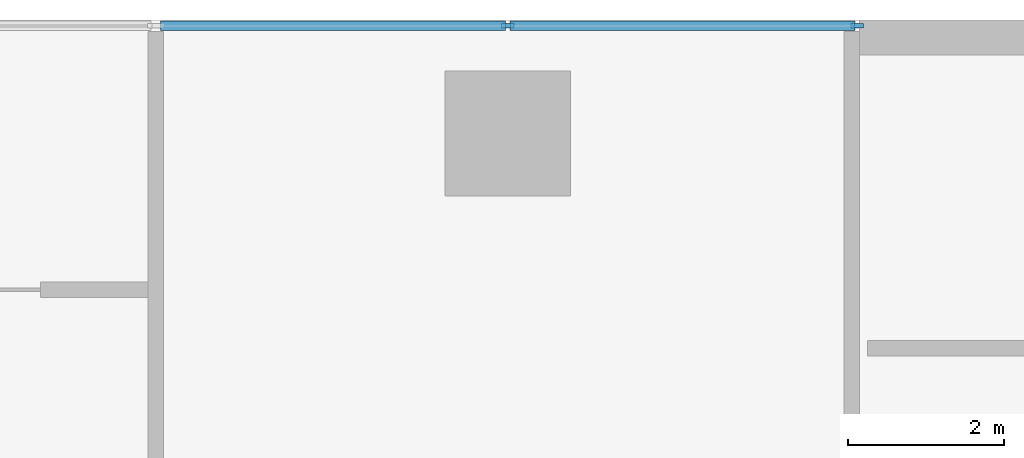
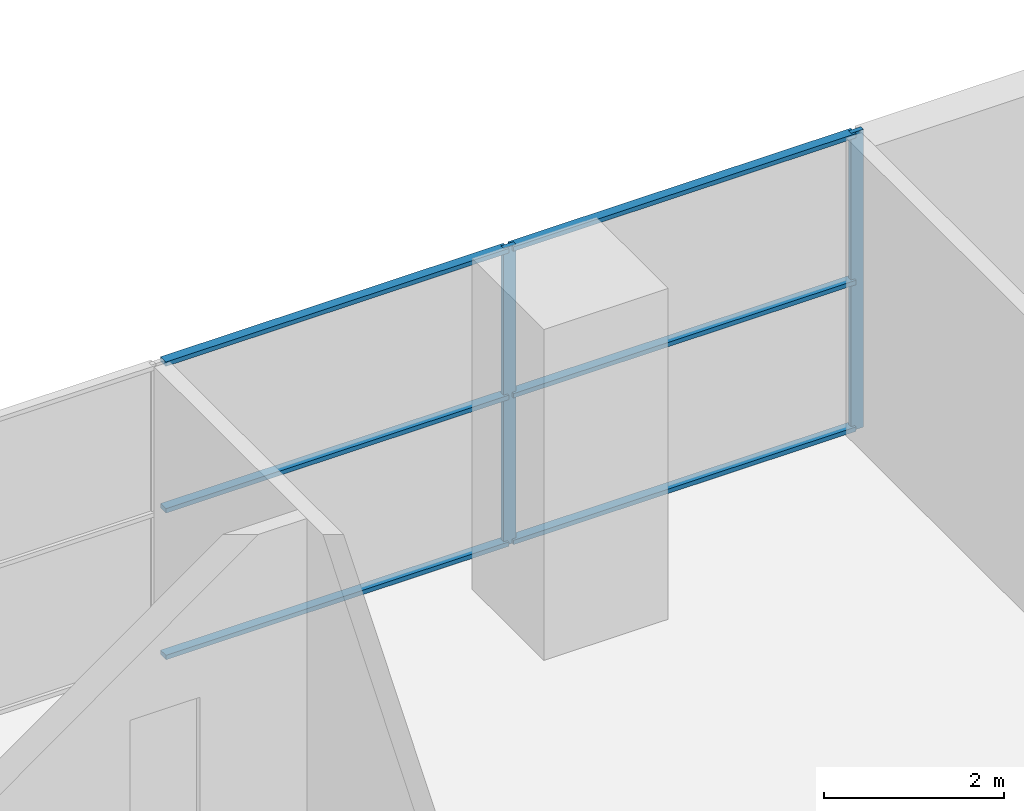
# One storey, part 4 of 19: 8 members, 1 element without a shape of its own.
"""IFC4 building model written with IfcOpenShell, lengths in metres."""

from ifc_helpers import new_model, si_unit, direction, frame, origin, origin_2d, place, context, subcontext, project, spatial, rectangle, extrude, material, material_profile, profile_set, type_object, element, aggregate, save


model = new_model("IFC4")

# Units and contexts
model_context = context("Model", 3, precision=1e-05, world=origin(), true_north=direction((0.0, 1.0)))
body_context = subcontext(model_context, "Body", "Model", "MODEL_VIEW")
ifc_project = project(units=[si_unit("LENGTHUNIT", "METRE"), si_unit("AREAUNIT", "SQUARE_METRE"), si_unit("VOLUMEUNIT", "CUBIC_METRE"), si_unit("PLANEANGLEUNIT", "RADIAN"), si_unit("MASSUNIT", "GRAM", prefix="KILO")], contexts=[model_context])

# Site, building, storey
site_placement = place(None, origin())
site = spatial("IfcSite", under=ifc_project, at=site_placement, CompositionType="ELEMENT")
building_placement = place(site_placement, origin())
building = spatial("IfcBuilding", under=site, at=building_placement, Name="Kajstack Hotel Tower", CompositionType="ELEMENT")
storey_placement = place(building_placement, frame((0.0, 0.0, 33.5)))
storey = spatial("IfcBuildingStorey", under=building, at=storey_placement, Name="L05", CompositionType="ELEMENT", Elevation=33.5)

# Curtain wall, members
ifc_material_1 = material(Name="Aluminium-framed curtain wall, solar-control glass", Category="aluminium")
curtain_wall_type = type_object("IfcCurtainWallType", Name="CW-CLUB", PredefinedType="NOTDEFINED", material=ifc_material_1)
curtain_wall_placement = place(storey_placement, origin())
curtain_wall = element("IfcCurtainWall", 1, at=curtain_wall_placement, inside=storey, type_object=curtain_wall_type, Name="Curtain wall CU4 L05-11-02-0", PredefinedType="NOTDEFINED")
ifc_material_2 = material(Name="Aluminium", Category="aluminium")
ifc_material_profile_1 = material_profile(ifc_material_2, rectangle(XDim=0.06005859375, YDim=0.159912109375, at=origin_2d()), Name="Aluminium mullion 60 x 160")
ifc_profile_set_1 = profile_set([ifc_material_profile_1], Name="Aluminium")
member_type_1 = type_object("IfcMemberType", Name="CW-M-CLUB", PredefinedType="MULLION", material=ifc_profile_set_1)
member_1_placement = place(storey_placement, frame((13.469970703125, 21.925048828125, 0.0), z_axis=(0.0, 0.0, 1.0), x_axis=(0.0, -1.0, 0.0)))
member_1 = element("IfcMember", 2, at=member_1_placement, type_object=member_type_1, Name="CU4 mullion 1", PredefinedType="MULLION", context=body_context, shape_type="SweptSolid", body=[
    extrude(rectangle(XDim=0.06005859375, YDim=0.159912109375, at=origin_2d()), origin(), (0.0, 0.0, 1.0), 4.050048828125),
])
member_2_placement = place(storey_placement, frame((9.0, 21.925048828125, 0.0), z_axis=(0.0, 0.0, 1.0), x_axis=(0.0, -1.0, 0.0)))
member_2 = element("IfcMember", 3, at=member_2_placement, type_object=member_type_1, Name="CU4 mullion 2", PredefinedType="MULLION", context=body_context, shape_type="SweptSolid", body=[
    extrude(rectangle(XDim=0.06005859375, YDim=0.159912109375, at=origin_2d()), origin(), (0.0, 0.0, 1.0), 4.050048828125),
])
ifc_material_profile_2 = material_profile(ifc_material_2, rectangle(XDim=0.1201171875, YDim=0.06005859375, at=origin_2d()), Name="Aluminium transom 120 x 60")
ifc_profile_set_2 = profile_set([ifc_material_profile_2], Name="Aluminium")
member_type_2 = type_object("IfcMemberType", Name="CW-T-CLUB", PredefinedType="USERDEFINED", material=ifc_profile_set_2)
member_3_placement = place(storey_placement, frame((13.43994140625, 21.925048828125, 0.030029296875), z_axis=(-1.0, 0.0, 0.0), x_axis=(0.0, -1.0, 0.0)))
member_3 = element("IfcMember", 4, at=member_3_placement, type_object=member_type_2, Name="CU4 transom 1.1", ObjectType="TRANSOM", PredefinedType="USERDEFINED", context=body_context, shape_type="SweptSolid", body=[
    extrude(rectangle(XDim=0.1201171875, YDim=0.06005859375, at=origin_2d()), origin(), (0.0, 0.0, 1.0), 4.409912109375),
])
member_4_placement = place(storey_placement, frame((13.43994140625, 21.925048828125, 2.02490234375), z_axis=(-1.0, 0.0, 0.0), x_axis=(0.0, -1.0, 0.0)))
member_4 = element("IfcMember", 5, at=member_4_placement, type_object=member_type_2, Name="CU4 transom 1.2", ObjectType="TRANSOM", PredefinedType="USERDEFINED", context=body_context, shape_type="SweptSolid", body=[
    extrude(rectangle(XDim=0.1201171875, YDim=0.06005859375, at=origin_2d()), origin(), (0.0, 0.0, 1.0), 4.409912109375),
])
member_5_placement = place(storey_placement, frame((13.43994140625, 21.925048828125, 4.02001953125), z_axis=(-1.0, 0.0, 0.0), x_axis=(0.0, -1.0, 0.0)))
member_5 = element("IfcMember", 6, at=member_5_placement, type_object=member_type_2, Name="CU4 transom 1.3", ObjectType="TRANSOM", PredefinedType="USERDEFINED", context=body_context, shape_type="SweptSolid", body=[
    extrude(rectangle(XDim=0.1201171875, YDim=0.06005859375, at=origin_2d()), origin(), (0.0, 0.0, 1.0), 4.409912109375),
])
member_6_placement = place(storey_placement, frame((8.969970703125, 21.925048828125, 0.030029296875), z_axis=(-1.0, 0.0, 0.0), x_axis=(0.0, -1.0, 0.0)))
member_6 = element("IfcMember", 7, at=member_6_placement, type_object=member_type_2, Name="CU4 transom 2.1", ObjectType="TRANSOM", PredefinedType="USERDEFINED", context=body_context, shape_type="SweptSolid", body=[
    extrude(rectangle(XDim=0.1201171875, YDim=0.06005859375, at=origin_2d()), origin(), (0.0, 0.0, 1.0), 4.409912109375),
])
member_7_placement = place(storey_placement, frame((8.969970703125, 21.925048828125, 2.02490234375), z_axis=(-1.0, 0.0, 0.0), x_axis=(0.0, -1.0, 0.0)))
member_7 = element("IfcMember", 8, at=member_7_placement, type_object=member_type_2, Name="CU4 transom 2.2", ObjectType="TRANSOM", PredefinedType="USERDEFINED", context=body_context, shape_type="SweptSolid", body=[
    extrude(rectangle(XDim=0.1201171875, YDim=0.06005859375, at=origin_2d()), origin(), (0.0, 0.0, 1.0), 4.409912109375),
])
member_8_placement = place(storey_placement, frame((8.969970703125, 21.925048828125, 4.02001953125), z_axis=(-1.0, 0.0, 0.0), x_axis=(0.0, -1.0, 0.0)))
member_8 = element("IfcMember", 9, at=member_8_placement, type_object=member_type_2, Name="CU4 transom 2.3", ObjectType="TRANSOM", PredefinedType="USERDEFINED", context=body_context, shape_type="SweptSolid", body=[
    extrude(rectangle(XDim=0.1201171875, YDim=0.06005859375, at=origin_2d()), origin(), (0.0, 0.0, 1.0), 4.409912109375),
])
aggregate(curtain_wall, [member_1, member_2, member_3, member_4, member_5, member_6, member_7, member_8])

save(model, "model.ifc")
